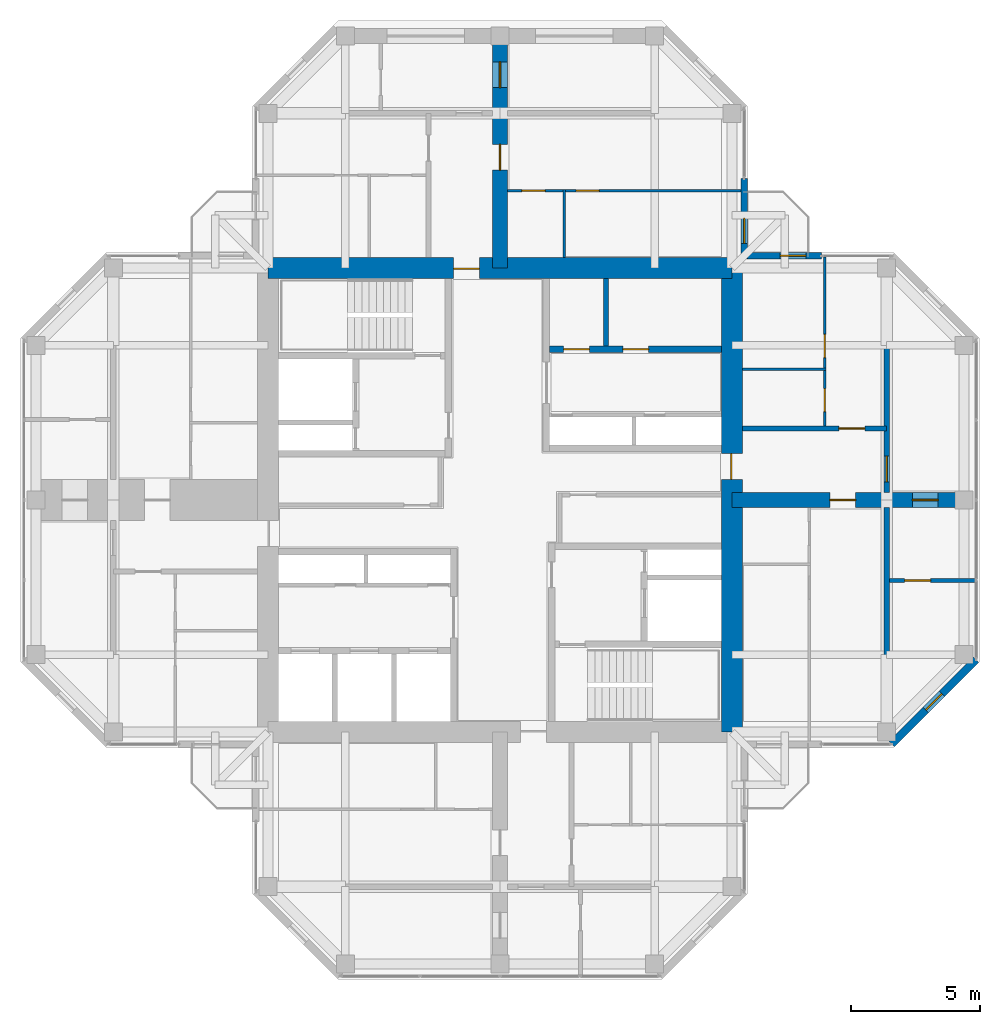
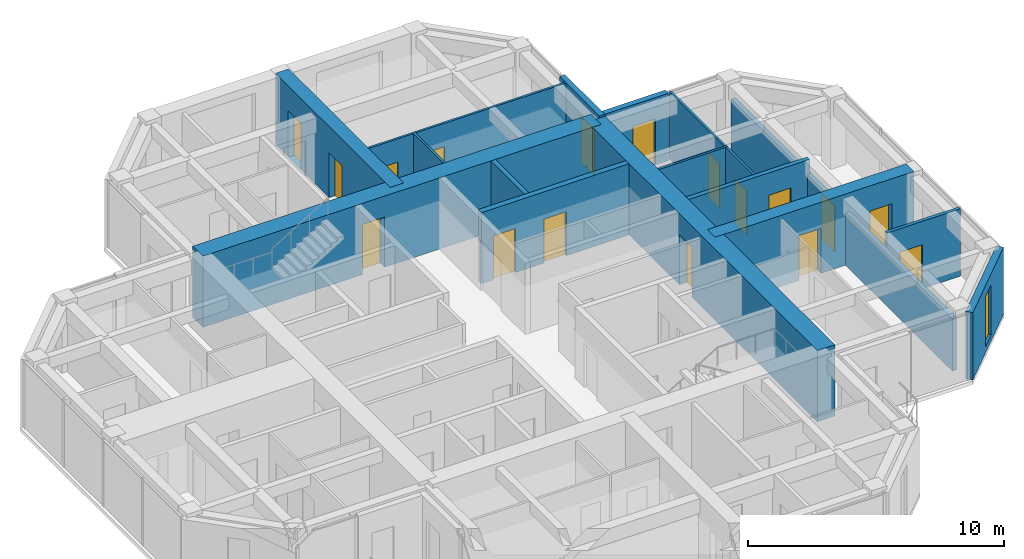
# One storey, part 11 of 13: 17 doors, 17 walls, 1 window, 18 openings.
"""IFC4 building model written with IfcOpenShell, lengths in metres."""

import ifcopenshell
import ifcopenshell.guid

model = None  # the IFC model being written
_history = None  # IfcOwnerHistory: only IFC2X3 demands one
_inside = {}  # id of a spatial element -> (the spatial element, [elements in it])
_under = {}  # id of a project, library or spatial element -> (it, [spatial elements below it])
_declared = {}  # id of a project -> (the project, [libraries it declares])
_typed = {}  # id of a type object -> (the type object, [elements of that type])
_made_of = {}  # id of a material, layer set ... -> (it, [elements and type objects made of it])


def new_model(schema):
    """Start an empty IFC model of exactly this schema.

    Asked for "IFC4X3", IfcOpenShell would pick the latest addendum, in which some entities
    have other attributes; the version numbers below select the first issue.
    IFC2X3 requires an IfcOwnerHistory on every rooted entity: one is made here for all.
    """
    global model, _history
    if schema == "IFC4X3":
        model = ifcopenshell.file(schema_version=(4, 3, 0, 0))
    else:
        model = ifcopenshell.file(schema=schema)
    _inside.clear()
    _under.clear()
    _declared.clear()
    _typed.clear()
    _made_of.clear()
    _history = None
    if model.schema == "IFC2X3":
        org = make("IfcOrganization", Name="unknown")
        user = make(
            "IfcPersonAndOrganization",
            ThePerson=make("IfcPerson", FamilyName="unknown"),
            TheOrganization=org,
        )
        app = make(
            "IfcApplication",
            ApplicationDeveloper=org,
            Version="unknown",
            ApplicationFullName="unknown",
            ApplicationIdentifier="unknown",
        )
        _history = make(
            "IfcOwnerHistory",
            OwningUser=user,
            OwningApplication=app,
            ChangeAction="ADDED",
            CreationDate=0,
        )
    return model


def make(cls, **values):
    """One entity of the class cls with the attributes given. An attribute that is None is left unset."""
    return model.create_entity(
        cls, **{name: value for name, value in values.items() if value is not None}
    )


def rooted(cls, **values):
    """An entity with a GlobalId (a new one), such as an element, a storey or a relation."""
    return make(cls, GlobalId=ifcopenshell.guid.new(), OwnerHistory=_history, **values)


def si_unit(unit_type, name, prefix=None):
    """IfcSIUnit, for example si_unit("LENGTHUNIT", "METRE", prefix="MILLI")."""
    return make("IfcSIUnit", UnitType=unit_type, Prefix=prefix, Name=name)


def assignment(units):
    """IfcUnitAssignment: the units of a project."""
    return None if units is None else make("IfcUnitAssignment", Units=units)


def point(xyz):
    """IfcCartesianPoint."""
    return None if xyz is None else make("IfcCartesianPoint", Coordinates=xyz)


def direction(xyz):
    """IfcDirection."""
    return None if xyz is None else make("IfcDirection", DirectionRatios=xyz)


def frame(location, z_axis=None, x_axis=None):
    """IfcAxis2Placement3D, a coordinate frame: its origin and axes. An axis left out is left unset."""
    return make(
        "IfcAxis2Placement3D",
        Location=point(location),
        Axis=direction(z_axis),
        RefDirection=direction(x_axis),
    )


def frame_2d(location, x_axis=None):
    """IfcAxis2Placement2D, a coordinate frame in the plane: its origin and x axis."""
    return make(
        "IfcAxis2Placement2D", Location=point(location), RefDirection=direction(x_axis)
    )


def origin():
    """The frame at (0, 0, 0) with its axes left unset."""
    return frame((0.0, 0.0, 0.0))


def place(relative_to, where):
    """IfcLocalPlacement: puts the frame where relative to a parent placement (None: the world)."""
    return make(
        "IfcLocalPlacement", PlacementRelTo=relative_to, RelativePlacement=where
    )


def context(
    kind, dimensions, precision=None, world=None, true_north=None, identifier=None
):
    """IfcGeometricRepresentationContext, for example the 3D "Model" context."""
    return make(
        "IfcGeometricRepresentationContext",
        ContextIdentifier=identifier,
        ContextType=kind,
        CoordinateSpaceDimension=dimensions,
        Precision=precision,
        WorldCoordinateSystem=world,
        TrueNorth=true_north,
    )


def subcontext(parent, identifier, kind, view, scale=None):
    """IfcGeometricRepresentationSubContext, for example "Body" below "Model"."""
    return make(
        "IfcGeometricRepresentationSubContext",
        ContextIdentifier=identifier,
        ContextType=kind,
        ParentContext=parent,
        TargetScale=scale,
        TargetView=view,
    )


def project(units=None, contexts=None):
    """IfcProject with its units and contexts."""
    return rooted(
        "IfcProject",
        Name="project",
        RepresentationContexts=contexts,
        UnitsInContext=assignment(units),
    )


def spatial(cls, under=None, at=None, **own):
    """A site, building, storey or space (cls), placed at a placement, below another one or the project."""
    s = rooted(cls, ObjectPlacement=at, **own)
    if under is not None:
        _under.setdefault(under.id(), (under, []))[1].append(s)
    return s


def profile(cls, at=None, kind="AREA", **sizes):
    """A parametric profile (cls). Its sizes go by their IFC names, for example OverallWidth=200.0."""
    return make(cls, ProfileType=kind, Position=at, **sizes)


def rectangle(**sizes):
    """IfcRectangleProfileDef."""
    return profile("IfcRectangleProfileDef", **sizes)


def hollow_rectangle(**sizes):
    """IfcRectangleHollowProfileDef."""
    return profile("IfcRectangleHollowProfileDef", **sizes)


def extrude(swept, where, along, depth):
    """IfcExtrudedAreaSolid: the profile swept, set in the frame where, extruded along a direction by depth."""
    return make(
        "IfcExtrudedAreaSolid",
        SweptArea=swept,
        Position=where,
        ExtrudedDirection=direction(along),
        Depth=depth,
    )


def shape(context_of_items, identifier, shape_type, items):
    """IfcShapeRepresentation: the items that make up one representation, for example the "Body"."""
    return make(
        "IfcShapeRepresentation",
        ContextOfItems=context_of_items,
        RepresentationIdentifier=identifier,
        RepresentationType=shape_type,
        Items=items,
    )


def material(Name=None, Category=None):
    """IfcMaterial."""
    return make("IfcMaterial", Name=Name, Category=Category)


def layer(
    of_material, thickness, ventilated=None, Name=None, Category=None, Priority=None
):
    """IfcMaterialLayer: one layer of a wall or slab, of a material (None: an air gap)."""
    return make(
        "IfcMaterialLayer",
        Material=of_material,
        LayerThickness=thickness,
        IsVentilated=ventilated,
        Name=Name,
        Category=Category,
        Priority=Priority,
    )


def layer_set(layers, Name=None):
    """IfcMaterialLayerSet."""
    return make("IfcMaterialLayerSet", MaterialLayers=layers, LayerSetName=Name)


def constituent(of_material, Name=None, Category=None, fraction=None):
    """IfcMaterialConstituent: one of the materials an element consists of."""
    return make(
        "IfcMaterialConstituent",
        Name=Name,
        Material=of_material,
        Fraction=fraction,
        Category=Category,
    )


def constituent_set(constituents=None, Name=None):
    """IfcMaterialConstituentSet."""
    return make(
        "IfcMaterialConstituentSet", Name=Name, MaterialConstituents=constituents
    )


def made_of(thing, what):
    """Note that an element or type object is made of a material, layer set ...; save() writes the relation."""
    if what is not None:
        _made_of.setdefault(what.id(), (what, []))[1].append(thing)
    return thing


def type_object(cls, material=None, **own):
    """A type object (cls), such as IfcWallType, which elements share."""
    return made_of(rooted(cls, **own), material)


def element(
    cls,
    number,
    at=None,
    inside=None,
    cuts=None,
    type_object=None,
    material=None,
    context=None,
    identifier="Body",
    shape_type=None,
    held_by="IfcProductDefinitionShape",
    body=None,
    shapes=None,
    **own,
):
    """One element of the class cls, such as IfcWall. Its Tag is "e" and its number.

    at: its placement. inside: the storey or other place that contains it. cuts: it is an
    opening in that element (IfcRelVoidsElement). A single representation is given by context,
    identifier, shape_type and body (its items); several are given by shapes. held_by: the class
    of the entity that holds the representations. save() writes the other relations.
    """
    e = rooted(cls, Tag="e%d" % number, ObjectPlacement=at, **own)
    if body is not None:
        shapes = [shape(context, identifier, shape_type, body)]
    if shapes is not None:
        e.Representation = make(held_by, Representations=shapes)
    if inside is not None:
        _inside.setdefault(inside.id(), (inside, []))[1].append(e)
    if cuts is not None:
        rooted(
            "IfcRelVoidsElement", RelatingBuildingElement=cuts, RelatedOpeningElement=e
        )
    if type_object is not None:
        _typed.setdefault(type_object.id(), (type_object, []))[1].append(e)
    return made_of(e, material)


def fill(opening, filler):
    """IfcRelFillsElement: the door or window that sits in an opening."""
    return rooted(
        "IfcRelFillsElement",
        RelatingOpeningElement=opening,
        RelatedBuildingElement=filler,
    )


def aggregate(whole, parts):
    """IfcRelAggregates: a whole, such as a stair, and the parts it consists of."""
    return rooted("IfcRelAggregates", RelatingObject=whole, RelatedObjects=parts)


def save(model, path):
    """Write the relations noted so far, then the file.

    IfcRelAggregates (storeys below a building ...), IfcRelContainedInSpatialStructure (elements
    in a storey), IfcRelDefinesByType, IfcRelAssociatesMaterial and IfcRelDeclares: one each for
    every whole, place, type object, material and project.
    """
    for whole, parts in _under.values():
        aggregate(whole, parts)
    for where, things in _inside.values():
        rooted(
            "IfcRelContainedInSpatialStructure",
            RelatedElements=things,
            RelatingStructure=where,
        )
    for kind, things in _typed.values():
        rooted("IfcRelDefinesByType", RelatedObjects=things, RelatingType=kind)
    for what, things in _made_of.values():
        rooted("IfcRelAssociatesMaterial", RelatedObjects=things, RelatingMaterial=what)
    for by, libraries in _declared.values():
        rooted("IfcRelDeclares", RelatingContext=by, RelatedDefinitions=libraries)
    model.write(path)


model = new_model("IFC4")

# Units and contexts
model_context = context("Model", 3, precision=1e-05, world=origin(), true_north=direction((0.0, 1.0)))
body_context = subcontext(model_context, "Body", "Model", "MODEL_VIEW")
ifc_project = project(units=[si_unit("LENGTHUNIT", "METRE"), si_unit("AREAUNIT", "SQUARE_METRE"), si_unit("VOLUMEUNIT", "CUBIC_METRE"), si_unit("PLANEANGLEUNIT", "RADIAN"), si_unit("MASSUNIT", "GRAM", prefix="KILO")], contexts=[model_context])

# Site, building, storey
site_placement = place(None, origin())
site = spatial("IfcSite", under=ifc_project, at=site_placement, CompositionType="ELEMENT")
building_placement = place(site_placement, origin())
building = spatial("IfcBuilding", under=site, at=building_placement, Name="Torre Cruceta", CompositionType="ELEMENT")
storey_placement = place(building_placement, frame((0.0, 0.0, 264.5)))
storey = spatial("IfcBuildingStorey", under=building, at=storey_placement, Name="L68", CompositionType="ELEMENT", Elevation=264.5)

# Wall
ifc_material_1 = material(Name="Water-resistant plasterboard on steel studs", Category="steel")
ifc_layer_1 = layer(ifc_material_1, 0.10009765625)
ifc_layer_set_1 = layer_set([ifc_layer_1], Name="Water-resistant plasterboard on steel studs")
wall_type_1 = type_object("IfcWallType", Name="BATHROOM WALL 100", PredefinedType="PARTITIONING", material=ifc_layer_set_1)
wall_1_placement = place(storey_placement, frame((2.5, 9.39990234375, 0.0), z_axis=(0.0, 0.0, 1.0), x_axis=(0.0, 1.0, 0.0)))
element("IfcWall", 1, at=wall_1_placement, inside=storey, type_object=wall_type_1, Name="PT4 L68-N-U1RBB", PredefinedType="PARTITIONING", context=body_context, shape_type="SweptSolid", body=[
    extrude(rectangle(XDim=2.650146484375, YDim=0.10009765625, at=frame_2d((1.3251953125, 0.0))), origin(), (0.0, 0.0, 1.0), 3.219970703125),
])

# Wall, openings, doors
wall_2_placement = place(storey_placement, frame((9.344970703125, 12.0, 0.0), z_axis=(0.0, 0.0, 1.0), x_axis=(-1.0, 0.0, 0.0)))
wall_2 = element("IfcWall", 2, at=wall_2_placement, inside=storey, type_object=wall_type_1, Name="PT4 L68-N-U1RBS", PredefinedType="PARTITIONING", context=body_context, shape_type="SweptSolid", body=[
    extrude(rectangle(XDim=9.044921875, YDim=0.10009765625, at=frame_2d((4.5224609375, 0.0))), origin(), (0.0, 0.0, 1.0), 3.219970703125),
])
opening_1_placement = place(wall_2_placement, frame((5.4951171875, 0.0, 0.0)))
opening_1 = element("IfcOpeningElement", 3, at=opening_1_placement, cuts=wall_2, Name="Opening D7", PredefinedType="OPENING", context=body_context, shape_type="SweptSolid", body=[
    extrude(rectangle(XDim=0.89990234375, YDim=2.10009765625, at=frame_2d((0.449951171875, 1.050048828125))), frame((0.0, 0.06005859375, 0.0), z_axis=(0.0, -1.0, 0.0), x_axis=(1.0, 0.0, 0.0)), (0.0, 0.0, 1.0), 0.1201171875),
])
opening_2_placement = place(wall_2_placement, frame((7.594970703125, 0.0, 0.0)))
opening_2 = element("IfcOpeningElement", 4, at=opening_2_placement, cuts=wall_2, Name="Opening D7", PredefinedType="OPENING", context=body_context, shape_type="SweptSolid", body=[
    extrude(rectangle(XDim=0.89990234375, YDim=2.10009765625, at=frame_2d((0.449951171875, 1.050048828125))), frame((0.0, 0.06005859375, 0.0), z_axis=(0.0, -1.0, 0.0), x_axis=(1.0, 0.0, 0.0)), (0.0, 0.0, 1.0), 0.1201171875),
])
ifc_material_2 = material(Name="Timber door", Category="wood")
door_type_1 = type_object("IfcDoorType", Name="BATHROOM DOOR 900X2100", OperationType="SINGLE_SWING_LEFT", PredefinedType="DOOR", material=ifc_material_2)
door_1_placement = place(opening_1_placement, origin())
door_1 = element("IfcDoor", 5, at=door_1_placement, inside=storey, type_object=door_type_1, Name="D7 L68-N-U1RBS-D1", OperationType="SINGLE_SWING_RIGHT", OverallHeight=2.10009765625, OverallWidth=0.89990234375, PredefinedType="DOOR", context=body_context, shape_type="SweptSolid", body=[
    extrude(rectangle(XDim=0.89990234375, YDim=2.10009765625, at=frame_2d((0.449951171875, 1.050048828125))), frame((0.0, 0.02490234375, 0.0), z_axis=(0.0, -1.0, 0.0), x_axis=(1.0, 0.0, 0.0)), (0.0, 0.0, 1.0), 0.050048828125),
])
fill(opening_1, door_1)
door_2_placement = place(opening_2_placement, origin())
door_2 = element("IfcDoor", 6, at=door_2_placement, inside=storey, type_object=door_type_1, Name="D7 L68-N-U1RBS-D2", OperationType="SINGLE_SWING_RIGHT", OverallHeight=2.10009765625, OverallWidth=0.89990234375, PredefinedType="DOOR", context=body_context, shape_type="SweptSolid", body=[
    extrude(rectangle(XDim=0.89990234375, YDim=2.10009765625, at=frame_2d((0.449951171875, 1.050048828125))), frame((0.0, 0.02490234375, 0.0), z_axis=(0.0, -1.0, 0.0), x_axis=(1.0, 0.0, 0.0)), (0.0, 0.0, 1.0), 0.050048828125),
])
fill(opening_2, door_2)

# Wall
wall_3_placement = place(storey_placement, frame((9.39990234375, 5.074951171875, 0.0), z_axis=(0.0, 0.0, 1.0), x_axis=(1.0, 0.0, 0.0)))
element("IfcWall", 7, at=wall_3_placement, inside=storey, type_object=wall_type_1, Name="PT4 L68-E-U1LBB", PredefinedType="PARTITIONING", context=body_context, shape_type="SweptSolid", body=[
    extrude(rectangle(XDim=3.25, YDim=0.10009765625, at=frame_2d((1.625, 0.0))), origin(), (0.0, 0.0, 1.0), 3.219970703125),
])

# Wall, openings, doors
wall_4_placement = place(storey_placement, frame((12.60009765625, 2.875, 0.0), z_axis=(0.0, 0.0, 1.0), x_axis=(0.0, 1.0, 0.0)))
wall_4 = element("IfcWall", 8, at=wall_4_placement, inside=storey, type_object=wall_type_1, Name="PT4 L68-E-U1LBS", PredefinedType="PARTITIONING", context=body_context, shape_type="SweptSolid", body=[
    extrude(rectangle(XDim=6.554931640625, YDim=0.10009765625, at=frame_2d((3.27734375, 0.0))), origin(), (0.0, 0.0, 1.0), 3.219970703125),
])
opening_3_placement = place(wall_4_placement, frame((0.550048828125, 0.0, 0.0)))
opening_3 = element("IfcOpeningElement", 9, at=opening_3_placement, cuts=wall_4, Name="Opening D7", PredefinedType="OPENING", context=body_context, shape_type="SweptSolid", body=[
    extrude(rectangle(XDim=0.89990234375, YDim=2.10009765625, at=frame_2d((0.449951171875, 1.050048828125))), frame((0.0, 0.06005859375, 0.0), z_axis=(0.0, -1.0, 0.0), x_axis=(1.0, 0.0, 0.0)), (0.0, 0.0, 1.0), 0.1201171875),
])
opening_4_placement = place(wall_4_placement, frame((2.64990234375, 0.0, 0.0)))
opening_4 = element("IfcOpeningElement", 10, at=opening_4_placement, cuts=wall_4, Name="Opening D7", PredefinedType="OPENING", context=body_context, shape_type="SweptSolid", body=[
    extrude(rectangle(XDim=0.89990234375, YDim=2.10009765625, at=frame_2d((0.449951171875, 1.050048828125))), frame((0.0, 0.06005859375, 0.0), z_axis=(0.0, -1.0, 0.0), x_axis=(1.0, 0.0, 0.0)), (0.0, 0.0, 1.0), 0.1201171875),
])
door_3_placement = place(opening_3_placement, origin())
door_3 = element("IfcDoor", 11, at=door_3_placement, inside=storey, type_object=door_type_1, Name="D7 L68-E-U1LBS-D1", OperationType="SINGLE_SWING_LEFT", OverallHeight=2.10009765625, OverallWidth=0.89990234375, PredefinedType="DOOR", context=body_context, shape_type="SweptSolid", body=[
    extrude(rectangle(XDim=0.89990234375, YDim=2.10009765625, at=frame_2d((0.449951171875, 1.050048828125))), frame((0.0, 0.02490234375, 0.0), z_axis=(0.0, -1.0, 0.0), x_axis=(1.0, 0.0, 0.0)), (0.0, 0.0, 1.0), 0.050048828125),
])
fill(opening_3, door_3)
door_4_placement = place(opening_4_placement, origin())
door_4 = element("IfcDoor", 12, at=door_4_placement, inside=storey, type_object=door_type_1, Name="D7 L68-E-U1LBS-D2", OperationType="SINGLE_SWING_LEFT", OverallHeight=2.10009765625, OverallWidth=0.89990234375, PredefinedType="DOOR", context=body_context, shape_type="SweptSolid", body=[
    extrude(rectangle(XDim=0.89990234375, YDim=2.10009765625, at=frame_2d((0.449951171875, 1.050048828125))), frame((0.0, 0.02490234375, 0.0), z_axis=(0.0, -1.0, 0.0), x_axis=(1.0, 0.0, 0.0)), (0.0, 0.0, 1.0), 0.050048828125),
])
fill(opening_4, door_4)

ifc_material_3 = material(Name="Concrete G60 (fck 60 MPa)", Category="concrete")
ifc_layer_2 = layer(ifc_material_3, 0.25)
ifc_layer_set_2 = layer_set([ifc_layer_2], Name="Concrete G60 (fck 60 MPa)")
wall_type_2 = type_object("IfcWallType", Name="CORE INNER WALL 250 G60", PredefinedType="SHEAR", material=ifc_layer_set_2)
wall_5_placement = place(storey_placement, frame((1.925048828125, 5.85009765625, 0.0), z_axis=(0.0, 0.0, 1.0), x_axis=(1.0, 0.0, 0.0)))
wall_5 = element("IfcWall", 13, at=wall_5_placement, inside=storey, type_object=wall_type_2, Name="CW4 L68 NE-LV", PredefinedType="SHEAR", context=body_context, shape_type="SweptSolid", body=[
    extrude(rectangle(XDim=6.675048828125, YDim=0.25, at=frame_2d((3.33740234375, 0.0))), origin(), (0.0, 0.0, 1.0), 3.39990234375),
])
opening_5_placement = place(wall_5_placement, frame((0.5458984375, 0.0, 0.0)))
opening_5 = element("IfcOpeningElement", 14, at=opening_5_placement, cuts=wall_5, Name="Opening D3", PredefinedType="OPENING", context=body_context, shape_type="SweptSolid", body=[
    extrude(rectangle(XDim=1.0, YDim=2.10009765625, at=frame_2d((0.5, 1.050048828125))), frame((0.0, 0.135009765625, 0.0), z_axis=(0.0, -1.0, 0.0), x_axis=(1.0, 0.0, 0.0)), (0.0, 0.0, 1.0), 0.27001953125),
])
opening_6_placement = place(wall_5_placement, frame((2.83740234375, 0.0, 0.0)))
opening_6 = element("IfcOpeningElement", 15, at=opening_6_placement, cuts=wall_5, Name="Opening D3", PredefinedType="OPENING", context=body_context, shape_type="SweptSolid", body=[
    extrude(rectangle(XDim=1.0, YDim=2.10009765625, at=frame_2d((0.5, 1.050048828125))), frame((0.0, 0.135009765625, 0.0), z_axis=(0.0, -1.0, 0.0), x_axis=(1.0, 0.0, 0.0)), (0.0, 0.0, 1.0), 0.27001953125),
])
ifc_material_4 = material(Name="Steel DX51D", Category="steel")
ifc_constituent_1 = constituent(ifc_material_4, Name="Leaf and frame")
ifc_material_5 = material(Name="Polyester powder coating", Category="paint")
ifc_constituent_2 = constituent(ifc_material_5, Name="Finish")
ifc_constituent_set_1 = constituent_set(constituents=[ifc_constituent_1, ifc_constituent_2], Name="Steel fire door")
door_type_2 = type_object("IfcDoorType", Name="FIRE DOOR 1000X2100", OperationType="SINGLE_SWING_LEFT", PredefinedType="DOOR", material=ifc_constituent_set_1)
door_5_placement = place(opening_5_placement, origin())
door_5 = element("IfcDoor", 16, at=door_5_placement, inside=storey, type_object=door_type_2, Name="D3 L68 NE-HR1", OperationType="SINGLE_SWING_LEFT", OverallHeight=2.10009765625, OverallWidth=1.0, PredefinedType="DOOR", context=body_context, shape_type="SweptSolid", body=[
    extrude(rectangle(XDim=1.0, YDim=2.10009765625, at=frame_2d((0.5, 1.050048828125))), frame((0.0, 0.02490234375, 0.0), z_axis=(0.0, -1.0, 0.0), x_axis=(1.0, 0.0, 0.0)), (0.0, 0.0, 1.0), 0.050048828125),
])
fill(opening_5, door_5)
door_6_placement = place(opening_6_placement, origin())
door_6 = element("IfcDoor", 17, at=door_6_placement, inside=storey, type_object=door_type_2, Name="D3 L68 NE-HR2", OperationType="SINGLE_SWING_LEFT", OverallHeight=2.10009765625, OverallWidth=1.0, PredefinedType="DOOR", context=body_context, shape_type="SweptSolid", body=[
    extrude(rectangle(XDim=1.0, YDim=2.10009765625, at=frame_2d((0.5, 1.050048828125))), frame((0.0, 0.02490234375, 0.0), z_axis=(0.0, -1.0, 0.0), x_axis=(1.0, 0.0, 0.0)), (0.0, 0.0, 1.0), 0.050048828125),
])
fill(opening_6, door_6)

# Wall, opening, door
ifc_material_6 = material(Name="Concrete G60 (fck 60 MPa)", Category="concrete")
ifc_layer_3 = layer(ifc_material_6, 0.800048828125)
ifc_layer_set_3 = layer_set([ifc_layer_3], Name="Concrete G60 (fck 60 MPa)")
wall_type_3 = type_object("IfcWallType", Name="CORE WALL 800 G60", PredefinedType="SHEAR", material=ifc_layer_set_3)
wall_6_placement = place(storey_placement, frame((9.0, 9.0, 0.0), z_axis=(0.0, 0.0, 1.0), x_axis=(-1.0, 0.0, 0.0)))
wall_6 = element("IfcWall", 18, at=wall_6_placement, inside=storey, type_object=wall_type_3, Name="CW3 L68 CW-N", PredefinedType="SHEAR", context=body_context, shape_type="SweptSolid", body=[
    extrude(rectangle(XDim=18.0, YDim=0.800048828125, at=frame_2d((9.0, 0.0))), origin(), (0.0, 0.0, 1.0), 3.39990234375),
])
opening_7_placement = place(wall_6_placement, frame((9.800048828125, 0.0, 0.0)))
opening_7 = element("IfcOpeningElement", 19, at=opening_7_placement, cuts=wall_6, Name="Opening D4", PredefinedType="OPENING", context=body_context, shape_type="SweptSolid", body=[
    extrude(rectangle(XDim=1.0, YDim=2.39990234375, at=frame_2d((0.5, 1.199951171875))), frame((0.0, 0.409912109375, 0.0), z_axis=(0.0, -1.0, 0.0), x_axis=(1.0, 0.0, 0.0)), (0.0, 0.0, 1.0), 0.820068359375),
])
ifc_material_7 = material(Name="Steel DX51D", Category="steel")
ifc_constituent_3 = constituent(ifc_material_7, Name="Leaf and frame")
ifc_material_8 = material(Name="Polyester powder coating", Category="paint")
ifc_constituent_4 = constituent(ifc_material_8, Name="Finish")
ifc_constituent_set_2 = constituent_set(constituents=[ifc_constituent_3, ifc_constituent_4], Name="Steel fire door")
door_type_3 = type_object("IfcDoorType", Name="CORE ARM DOOR 1000X2400", OperationType="SINGLE_SWING_RIGHT", PredefinedType="DOOR", material=ifc_constituent_set_2)
door_7_placement = place(opening_7_placement, origin())
door_7 = element("IfcDoor", 20, at=door_7_placement, inside=storey, type_object=door_type_3, Name="D4 L68 CW-N", OperationType="SINGLE_SWING_RIGHT", OverallHeight=2.39990234375, OverallWidth=1.0, PredefinedType="DOOR", context=body_context, shape_type="SweptSolid", body=[
    extrude(rectangle(XDim=1.0, YDim=2.39990234375, at=frame_2d((0.5, 1.199951171875))), frame((0.0, 0.05517578125, 0.0), z_axis=(0.0, -1.0, 0.0), x_axis=(1.0, 0.0, 0.0)), (0.0, 0.0, 1.0), 0.050048828125),
])
fill(opening_7, door_7)

wall_7_placement = place(storey_placement, frame((9.0, -9.0, 0.0), z_axis=(0.0, 0.0, 1.0), x_axis=(0.0, 1.0, 0.0)))
wall_7 = element("IfcWall", 21, at=wall_7_placement, inside=storey, type_object=wall_type_3, Name="CW3 L68 CW-E", PredefinedType="SHEAR", context=body_context, shape_type="SweptSolid", body=[
    extrude(rectangle(XDim=18.0, YDim=0.800048828125, at=frame_2d((9.0, 0.0))), origin(), (0.0, 0.0, 1.0), 3.39990234375),
])
opening_8_placement = place(wall_7_placement, frame((9.800048828125, 0.0, 0.0)))
opening_8 = element("IfcOpeningElement", 22, at=opening_8_placement, cuts=wall_7, Name="Opening D4", PredefinedType="OPENING", context=body_context, shape_type="SweptSolid", body=[
    extrude(rectangle(XDim=1.0, YDim=2.39990234375, at=frame_2d((0.5, 1.199951171875))), frame((0.0, 0.409912109375, 0.0), z_axis=(0.0, -1.0, 0.0), x_axis=(1.0, 0.0, 0.0)), (0.0, 0.0, 1.0), 0.820068359375),
])
door_8_placement = place(opening_8_placement, origin())
door_8 = element("IfcDoor", 23, at=door_8_placement, inside=storey, type_object=door_type_3, Name="D4 L68 CW-E", OperationType="SINGLE_SWING_RIGHT", OverallHeight=2.39990234375, OverallWidth=1.0, PredefinedType="DOOR", context=body_context, shape_type="SweptSolid", body=[
    extrude(rectangle(XDim=1.0, YDim=2.39990234375, at=frame_2d((0.5, 1.199951171875))), frame((0.0, 0.05517578125, 0.0), z_axis=(0.0, -1.0, 0.0), x_axis=(1.0, 0.0, 0.0)), (0.0, 0.0, 1.0), 0.050048828125),
])
fill(opening_8, door_8)

ifc_material_9 = material(Name="Concrete G25 (fck 25 MPa)", Category="concrete")
ifc_layer_4 = layer(ifc_material_9, 0.199951171875)
ifc_layer_set_4 = layer_set([ifc_layer_4], Name="Concrete G25 (fck 25 MPa)")
wall_type_4 = type_object("IfcWallType", Name="CORRIDOR WALL 200", PredefinedType="SOLIDWALL", material=ifc_layer_set_4)
wall_8_placement = place(storey_placement, frame((9.39990234375, 2.77490234375, 0.0), z_axis=(0.0, 0.0, 1.0), x_axis=(1.0, 0.0, 0.0)))
wall_8 = element("IfcWall", 24, at=wall_8_placement, inside=storey, type_object=wall_type_4, Name="PT3 L68-E-CL", PredefinedType="SOLIDWALL", context=body_context, shape_type="SweptSolid", body=[
    extrude(rectangle(XDim=5.60009765625, YDim=0.199951171875, at=frame_2d((2.800048828125, 0.0))), origin(), (0.0, 0.0, 1.0), 3.219970703125),
])
opening_9_placement = place(wall_8_placement, frame((3.75, 0.0, 0.0)))
opening_9 = element("IfcOpeningElement", 25, at=opening_9_placement, cuts=wall_8, Name="Opening D6", PredefinedType="OPENING", context=body_context, shape_type="SweptSolid", body=[
    extrude(rectangle(XDim=1.0, YDim=2.14990234375, at=frame_2d((0.5, 1.074951171875))), frame((0.0, 0.10986328125, 0.0), z_axis=(0.0, -1.0, 0.0), x_axis=(1.0, 0.0, 0.0)), (0.0, 0.0, 1.0), 0.219970703125),
])
ifc_material_10 = material(Name="Timber fire door", Category="wood")
door_type_4 = type_object("IfcDoorType", Name="UNIT ENTRANCE DOOR 1000X2150", OperationType="SINGLE_SWING_LEFT", PredefinedType="DOOR", material=ifc_material_10)
door_9_placement = place(opening_9_placement, origin())
door_9 = element("IfcDoor", 26, at=door_9_placement, inside=storey, type_object=door_type_4, Name="D6 L68-E-CL-D1", OperationType="SINGLE_SWING_LEFT", OverallHeight=2.14990234375, OverallWidth=1.0, PredefinedType="DOOR", context=body_context, shape_type="SweptSolid", body=[
    extrude(rectangle(XDim=1.0, YDim=2.14990234375, at=frame_2d((0.5, 1.074951171875))), frame((0.0, 0.02490234375, 0.0), z_axis=(0.0, -1.0, 0.0), x_axis=(1.0, 0.0, 0.0)), (0.0, 0.0, 1.0), 0.050048828125),
])
fill(opening_9, door_9)

# Wall, opening, window
ifc_material_11 = material(Name="Concrete G30 (fck 30 MPa)", Category="concrete")
ifc_layer_5 = layer(ifc_material_11, 0.300048828125)
ifc_layer_set_5 = layer_set([ifc_layer_5], Name="Concrete G30 (fck 30 MPa)")
wall_type_5 = type_object("IfcWallType", Name="EXPOSED CONCRETE FACADE WALL 300", PredefinedType="SOLIDWALL", material=ifc_layer_set_5)
wall_9_placement = place(storey_placement, frame((15.194580078125, -9.469970703125, 0.0), z_axis=(0.0, 0.0, 1.0), x_axis=(0.707106781187, 0.707106781187, 0.0)))
wall_9 = element("IfcWall", 27, at=wall_9_placement, inside=storey, type_object=wall_type_5, Name="EW1 facade wall L68 E chamfer 01", PredefinedType="SOLIDWALL", context=body_context, shape_type="SweptSolid", body=[
    extrude(rectangle(XDim=4.632080078125, YDim=0.300048828125, at=frame_2d((2.31591796875, 0.0))), origin(), (0.0, 0.0, 1.0), 3.219970703125),
])
opening_10_placement = place(wall_9_placement, frame((1.865966796875, 0.0, 0.300048828125)))
opening_10 = element("IfcOpeningElement", 28, at=opening_10_placement, cuts=wall_9, Name="Opening WN5", PredefinedType="OPENING", context=body_context, shape_type="SweptSolid", body=[
    extrude(rectangle(XDim=0.89990234375, YDim=2.39990234375, at=frame_2d((0.449951171875, 1.199951171875))), frame((0.0, 0.159912109375, 0.0), z_axis=(0.0, -1.0, 0.0), x_axis=(1.0, 0.0, 0.0)), (0.0, 0.0, 1.0), 0.320068359375),
])
ifc_material_12 = material(Name="Aluminium window frame", Category="aluminium")
ifc_constituent_5 = constituent(ifc_material_12, Name="Frame")
ifc_material_13 = material(Name="Laminated insulating glass unit, low-iron clear", Category="glass")
ifc_constituent_6 = constituent(ifc_material_13, Name="Glazing")
ifc_constituent_set_3 = constituent_set(constituents=[ifc_constituent_5, ifc_constituent_6], Name="Aluminium window")
window_type = type_object("IfcWindowType", Name="CHAMFER SLOT WINDOW 900X2400", PartitioningType="SINGLE_PANEL", PredefinedType="WINDOW", material=ifc_constituent_set_3)
window_placement = place(opening_10_placement, origin())
window = element("IfcWindow", 29, at=window_placement, inside=storey, type_object=window_type, Name="WN5 L68 E 1", OverallHeight=2.39990234375, OverallWidth=0.89990234375, PartitioningType="SINGLE_PANEL", PredefinedType="WINDOW", context=body_context, shape_type="SweptSolid", body=[
    extrude(hollow_rectangle(XDim=0.89990234375, YDim=2.39990234375, WallThickness=0.06005859375, at=frame_2d((0.449951171875, 1.199951171875))), frame((0.0, 0.030029296875, 0.0), z_axis=(0.0, -1.0, 0.0), x_axis=(1.0, 0.0, 0.0)), (0.0, 0.0, 1.0), 0.06005859375),
    extrude(rectangle(XDim=0.77880859375, YDim=2.27880859375, at=frame_2d((0.449951171875, 1.199951171875))), frame((0.0, 0.030029296875, 0.0), z_axis=(0.0, -1.0, 0.0), x_axis=(1.0, 0.0, 0.0)), (0.0, 0.0, 1.0), 0.06005859375),
])
fill(opening_10, window)

# Wall
ifc_material_14 = material(Name="Concrete G35 (fck 35 MPa)", Category="concrete")
ifc_layer_6 = layer(ifc_material_14, 0.199951171875)
ifc_layer_set_6 = layer_set([ifc_layer_6], Name="Concrete G35 (fck 35 MPa)")
wall_type_6 = type_object("IfcWallType", Name="LIFT SHAFT WALL 200", PredefinedType="PARTITIONING", material=ifc_layer_set_6)
wall_10_placement = place(storey_placement, frame((4.11669921875, 5.97509765625, 0.0), z_axis=(0.0, 0.0, 1.0), x_axis=(0.0, 1.0, 0.0)))
element("IfcWall", 30, at=wall_10_placement, inside=storey, type_object=wall_type_6, Name="SW1 L68 NE-LS1", PredefinedType="PARTITIONING", context=body_context, shape_type="SweptSolid", body=[
    extrude(rectangle(XDim=2.625, YDim=0.199951171875, at=frame_2d((1.3125, 0.0))), origin(), (0.0, 0.0, 1.0), 3.39990234375),
])

# Wall, opening, door
ifc_material_15 = material(Name="Plasterboard on steel studs", Category="steel")
ifc_layer_7 = layer(ifc_material_15, 0.14990234375)
ifc_layer_set_7 = layer_set([ifc_layer_7], Name="Plasterboard on steel studs")
wall_type_7 = type_object("IfcWallType", Name="PARTITION 150", PredefinedType="PARTITIONING", material=ifc_layer_set_7)
wall_11_placement = place(storey_placement, frame((15.10009765625, -3.117919921875, 0.0), z_axis=(0.0, 0.0, 1.0), x_axis=(1.0, 0.0, 0.0)))
wall_11 = element("IfcWall", 31, at=wall_11_placement, inside=storey, type_object=wall_type_7, Name="PT1 L68-E-END2X", PredefinedType="PARTITIONING", context=body_context, shape_type="SweptSolid", body=[
    extrude(rectangle(XDim=3.329833984375, YDim=0.14990234375, at=frame_2d((1.6650390625, 0.0))), origin(), (0.0, 0.0, 1.0), 3.219970703125),
])
opening_11_placement = place(wall_11_placement, frame((0.60009765625, 0.0, 0.0)))
opening_11 = element("IfcOpeningElement", 32, at=opening_11_placement, cuts=wall_11, Name="Opening D3", PredefinedType="OPENING", context=body_context, shape_type="SweptSolid", body=[
    extrude(rectangle(XDim=1.0, YDim=2.10009765625, at=frame_2d((0.5, 1.050048828125))), frame((0.0, 0.0849609375, 0.0), z_axis=(0.0, -1.0, 0.0), x_axis=(1.0, 0.0, 0.0)), (0.0, 0.0, 1.0), 0.169921875),
])
door_10_placement = place(opening_11_placement, origin())
door_10 = element("IfcDoor", 33, at=door_10_placement, inside=storey, type_object=door_type_2, Name="D3 L68-E-END2X-D1", OperationType="SINGLE_SWING_LEFT", OverallHeight=2.10009765625, OverallWidth=1.0, PredefinedType="DOOR", context=body_context, shape_type="SweptSolid", body=[
    extrude(rectangle(XDim=1.0, YDim=2.10009765625, at=frame_2d((0.5, 1.050048828125))), frame((0.0, 0.02490234375, 0.0), z_axis=(0.0, -1.0, 0.0), x_axis=(1.0, 0.0, 0.0)), (0.0, 0.0, 1.0), 0.050048828125),
])
fill(opening_11, door_10)

# Wall, openings, doors
ifc_material_16 = material(Name="Concrete G60 (fck 60 MPa)", Category="concrete")
ifc_layer_8 = layer(ifc_material_16, 0.60009765625)
ifc_layer_set_8 = layer_set([ifc_layer_8], Name="Concrete G60 (fck 60 MPa)")
wall_type_8 = type_object("IfcWallType", Name="SPINE WALL 600 G60", PredefinedType="SHEAR", material=ifc_layer_set_8)
wall_12_placement = place(storey_placement, frame((0.0, 9.0, 0.0), z_axis=(0.0, 0.0, 1.0), x_axis=(0.0, 1.0, 0.0)))
wall_12 = element("IfcWall", 34, at=wall_12_placement, inside=storey, type_object=wall_type_8, Name="SW5 spine wall L68 N", PredefinedType="SHEAR", context=body_context, shape_type="SweptSolid", body=[
    extrude(rectangle(XDim=9.0, YDim=0.60009765625, at=frame_2d((4.5, 0.0))), origin(), (0.0, 0.0, 1.0), 3.39990234375),
])
opening_12_placement = place(wall_12_placement, frame((3.800048828125, 0.0, 0.0)))
opening_12 = element("IfcOpeningElement", 35, at=opening_12_placement, cuts=wall_12, Name="Opening D6", PredefinedType="OPENING", context=body_context, shape_type="SweptSolid", body=[
    extrude(rectangle(XDim=1.0, YDim=2.14990234375, at=frame_2d((0.5, 1.074951171875))), frame((0.0, 0.31005859375, 0.0), z_axis=(0.0, -1.0, 0.0), x_axis=(1.0, 0.0, 0.0)), (0.0, 0.0, 1.0), 0.6201171875),
])
opening_13_placement = place(wall_12_placement, frame((7.0, 0.0, 0.0)))
opening_13 = element("IfcOpeningElement", 36, at=opening_13_placement, cuts=wall_12, Name="Opening D14", PredefinedType="OPENING", context=body_context, shape_type="SweptSolid", body=[
    extrude(rectangle(XDim=1.0, YDim=2.199951171875, at=frame_2d((0.5, 1.10009765625))), frame((0.0, 0.31005859375, 0.0), z_axis=(0.0, -1.0, 0.0), x_axis=(1.0, 0.0, 0.0)), (0.0, 0.0, 1.0), 0.6201171875),
])
ifc_material_17 = material(Name="Steel DX51D", Category="steel")
ifc_constituent_7 = constituent(ifc_material_17, Name="Leaf and frame")
ifc_material_18 = material(Name="Polyester powder coating", Category="paint")
ifc_constituent_8 = constituent(ifc_material_18, Name="Finish")
ifc_material_19 = material(Name="Fire-resisting glass", Category="glass")
ifc_constituent_9 = constituent(ifc_material_19, Name="Vision panel")
ifc_constituent_set_4 = constituent_set(constituents=[ifc_constituent_7, ifc_constituent_8, ifc_constituent_9], Name="Steel fire door with vision panel")
door_type_5 = type_object("IfcDoorType", Name="FIRE DOOR VISION PANEL 1000X2200", OperationType="SINGLE_SWING_RIGHT", PredefinedType="DOOR", material=ifc_constituent_set_4)
door_11_placement = place(opening_13_placement, origin())
door_11 = element("IfcDoor", 37, at=door_11_placement, inside=storey, type_object=door_type_5, Name="D14 L68-N-SP2", OperationType="SINGLE_SWING_RIGHT", OverallHeight=2.199951171875, OverallWidth=1.0, PredefinedType="DOOR", context=body_context, shape_type="SweptSolid", body=[
    extrude(rectangle(XDim=1.0, YDim=2.199951171875, at=frame_2d((0.5, 1.10009765625))), frame((0.0, 0.02490234375, 0.0), z_axis=(0.0, -1.0, 0.0), x_axis=(1.0, 0.0, 0.0)), (0.0, 0.0, 1.0), 0.050048828125),
])
fill(opening_13, door_11)
door_12_placement = place(opening_12_placement, frame((1.0, 0.0, 0.0), z_axis=(0.0, 0.0, 1.0), x_axis=(-1.0, 0.0, 0.0)))
door_12 = element("IfcDoor", 38, at=door_12_placement, inside=storey, type_object=door_type_4, Name="D6 L68-N-SP1", OperationType="SINGLE_SWING_RIGHT", OverallHeight=2.14990234375, OverallWidth=1.0, PredefinedType="DOOR", context=body_context, shape_type="SweptSolid", body=[
    extrude(rectangle(XDim=1.0, YDim=2.14990234375, at=frame_2d((0.5, 1.074951171875))), frame((0.0, 0.025146484375, 0.0), z_axis=(0.0, -1.0, 0.0), x_axis=(1.0, 0.0, 0.0)), (0.0, 0.0, 1.0), 0.050048828125),
])
fill(opening_12, door_12)

wall_13_placement = place(storey_placement, frame((9.0, 0.0, 0.0), z_axis=(0.0, 0.0, 1.0), x_axis=(1.0, 0.0, 0.0)))
wall_13 = element("IfcWall", 39, at=wall_13_placement, inside=storey, type_object=wall_type_8, Name="SW5 spine wall L68 E", PredefinedType="SHEAR", context=body_context, shape_type="SweptSolid", body=[
    extrude(rectangle(XDim=9.0, YDim=0.60009765625, at=frame_2d((4.5, 0.0))), origin(), (0.0, 0.0, 1.0), 3.39990234375),
])
opening_14_placement = place(wall_13_placement, frame((3.800048828125, 0.0, 0.0)))
opening_14 = element("IfcOpeningElement", 40, at=opening_14_placement, cuts=wall_13, Name="Opening D6", PredefinedType="OPENING", context=body_context, shape_type="SweptSolid", body=[
    extrude(rectangle(XDim=1.0, YDim=2.14990234375, at=frame_2d((0.5, 1.074951171875))), frame((0.0, 0.31005859375, 0.0), z_axis=(0.0, -1.0, 0.0), x_axis=(1.0, 0.0, 0.0)), (0.0, 0.0, 1.0), 0.6201171875),
])
opening_15_placement = place(wall_13_placement, frame((7.0, 0.0, 0.0)))
opening_15 = element("IfcOpeningElement", 41, at=opening_15_placement, cuts=wall_13, Name="Opening D14", PredefinedType="OPENING", context=body_context, shape_type="SweptSolid", body=[
    extrude(rectangle(XDim=1.0, YDim=2.199951171875, at=frame_2d((0.5, 1.10009765625))), frame((0.0, 0.31005859375, 0.0), z_axis=(0.0, -1.0, 0.0), x_axis=(1.0, 0.0, 0.0)), (0.0, 0.0, 1.0), 0.6201171875),
])
door_13_placement = place(opening_15_placement, frame((1.0, 0.0, 0.0), z_axis=(0.0, 0.0, 1.0), x_axis=(-1.0, 0.0, 0.0)))
door_13 = element("IfcDoor", 42, at=door_13_placement, inside=storey, type_object=door_type_5, Name="D14 L68-E-SP2", OperationType="SINGLE_SWING_RIGHT", OverallHeight=2.199951171875, OverallWidth=1.0, PredefinedType="DOOR", context=body_context, shape_type="SweptSolid", body=[
    extrude(rectangle(XDim=1.0, YDim=2.199951171875, at=frame_2d((0.5, 1.10009765625))), frame((0.0, 0.025146484375, 0.0), z_axis=(0.0, -1.0, 0.0), x_axis=(1.0, 0.0, 0.0)), (0.0, 0.0, 1.0), 0.050048828125),
])
fill(opening_15, door_13)
door_14_placement = place(opening_14_placement, frame((1.0, 0.0, 0.0), z_axis=(0.0, 0.0, 1.0), x_axis=(-1.0, 0.0, 0.0)))
door_14 = element("IfcDoor", 43, at=door_14_placement, inside=storey, type_object=door_type_4, Name="D6 L68-E-SP1", OperationType="SINGLE_SWING_RIGHT", OverallHeight=2.14990234375, OverallWidth=1.0, PredefinedType="DOOR", context=body_context, shape_type="SweptSolid", body=[
    extrude(rectangle(XDim=1.0, YDim=2.14990234375, at=frame_2d((0.5, 1.074951171875))), frame((0.0, 0.025146484375, 0.0), z_axis=(0.0, -1.0, 0.0), x_axis=(1.0, 0.0, 0.0)), (0.0, 0.0, 1.0), 0.050048828125),
])
fill(opening_14, door_14)

# Wall
ifc_material_20 = material(Name="Concrete G25 (fck 25 MPa)", Category="concrete")
ifc_layer_9 = layer(ifc_material_20, 0.199951171875)
ifc_layer_set_9 = layer_set([ifc_layer_9], Name="Concrete G25 (fck 25 MPa)")
wall_type_9 = type_object("IfcWallType", Name="UNIT SEPARATING WALL 200", PredefinedType="SOLIDWALL", material=ifc_layer_set_9)
wall_14_placement = place(storey_placement, frame((15.0, -8.64990234375, 0.0), z_axis=(0.0, 0.0, 1.0), x_axis=(0.0, 1.0, 0.0)))
element("IfcWall", 44, at=wall_14_placement, inside=storey, type_object=wall_type_9, Name="PT2 L68-E-ENDa", PredefinedType="SOLIDWALL", context=body_context, shape_type="SweptSolid", body=[
    extrude(rectangle(XDim=8.349853515625, YDim=0.199951171875, at=frame_2d((4.1748046875, 0.0))), origin(), (0.0, 0.0, 1.0), 2.52001953125),
])

# Wall, opening, door
wall_15_placement = place(storey_placement, frame((15.0, 0.300048828125, 0.0), z_axis=(0.0, 0.0, 1.0), x_axis=(0.0, 1.0, 0.0)))
wall_15 = element("IfcWall", 45, at=wall_15_placement, inside=storey, type_object=wall_type_9, Name="PT2 L68-E-ENDb", PredefinedType="SOLIDWALL", context=body_context, shape_type="SweptSolid", body=[
    extrude(rectangle(XDim=8.349853515625, YDim=0.199951171875, at=frame_2d((4.1748046875, 0.0))), origin(), (0.0, 0.0, 1.0), 2.52001953125),
])
opening_16_placement = place(wall_15_placement, frame((0.39990234375, 0.0, 0.0)))
opening_16 = element("IfcOpeningElement", 46, at=opening_16_placement, cuts=wall_15, Name="Opening D14", PredefinedType="OPENING", context=body_context, shape_type="SweptSolid", body=[
    extrude(rectangle(XDim=1.0, YDim=2.199951171875, at=frame_2d((0.5, 1.10009765625))), frame((0.0, 0.10986328125, 0.0), z_axis=(0.0, -1.0, 0.0), x_axis=(1.0, 0.0, 0.0)), (0.0, 0.0, 1.0), 0.219970703125),
])
door_15_placement = place(opening_16_placement, frame((1.0, 0.0, 0.0), z_axis=(0.0, 0.0, 1.0), x_axis=(-1.0, 0.0, 0.0)))
door_15 = element("IfcDoor", 47, at=door_15_placement, inside=storey, type_object=door_type_5, Name="D14 L68-E-ENDb-D1", OperationType="SINGLE_SWING_RIGHT", OverallHeight=2.199951171875, OverallWidth=1.0, PredefinedType="DOOR", context=body_context, shape_type="SweptSolid", body=[
    extrude(rectangle(XDim=1.0, YDim=2.199951171875, at=frame_2d((0.5, 1.10009765625))), frame((0.0, 0.025146484375, 0.0), z_axis=(0.0, -1.0, 0.0), x_axis=(1.0, 0.0, 0.0)), (0.0, 0.0, 1.0), 0.050048828125),
])
fill(opening_16, door_15)

ifc_material_21 = material(Name="Concrete G30 (fck 30 MPa)", Category="concrete")
ifc_layer_10 = layer(ifc_material_21, 0.25)
ifc_layer_set_10 = layer_set([ifc_layer_10], Name="Concrete G30 (fck 30 MPa)")
wall_type_10 = type_object("IfcWallType", Name="WINTER GARDEN WALL 250", PredefinedType="SOLIDWALL", material=ifc_layer_set_10)
wall_16_placement = place(storey_placement, frame((12.469970703125, 9.469970703125, 0.0), z_axis=(0.0, 0.0, 1.0), x_axis=(-1.0, 0.0, 0.0)))
wall_16 = element("IfcWall", 48, at=wall_16_placement, inside=storey, type_object=wall_type_10, Name="EW2 winter garden wall L68 04", PredefinedType="SOLIDWALL", context=body_context, shape_type="SweptSolid", body=[
    extrude(rectangle(XDim=2.875, YDim=0.25, at=frame_2d((1.4375, 0.0))), origin(), (0.0, 0.0, 1.0), 3.219970703125),
])
opening_17_placement = place(wall_16_placement, frame((0.60009765625, 0.0, 0.0)))
opening_17 = element("IfcOpeningElement", 49, at=opening_17_placement, cuts=wall_16, Name="Opening D10", PredefinedType="OPENING", context=body_context, shape_type="SweptSolid", body=[
    extrude(rectangle(XDim=1.0, YDim=2.199951171875, at=frame_2d((0.5, 1.10009765625))), frame((0.0, 0.135009765625, 0.0), z_axis=(0.0, -1.0, 0.0), x_axis=(1.0, 0.0, 0.0)), (0.0, 0.0, 1.0), 0.27001953125),
])
ifc_material_22 = material(Name="Aluminium door frame", Category="aluminium")
ifc_constituent_10 = constituent(ifc_material_22, Name="Frame")
ifc_material_23 = material(Name="Laminated safety glass", Category="glass")
ifc_constituent_11 = constituent(ifc_material_23, Name="Glazing")
ifc_constituent_set_5 = constituent_set(constituents=[ifc_constituent_10, ifc_constituent_11], Name="Aluminium glazed door")
door_type_6 = type_object("IfcDoorType", Name="BALCONY DOOR 1000X2200", OperationType="SINGLE_SWING_RIGHT", PredefinedType="DOOR", material=ifc_constituent_set_5)
door_16_placement = place(opening_17_placement, origin())
door_16 = element("IfcDoor", 50, at=door_16_placement, inside=storey, type_object=door_type_6, Name="D10 balcony door L68 04", OperationType="SINGLE_SWING_LEFT", OverallHeight=2.199951171875, OverallWidth=1.0, PredefinedType="DOOR", context=body_context, shape_type="SweptSolid", body=[
    extrude(hollow_rectangle(XDim=1.0, YDim=2.199951171875, WallThickness=0.06005859375, at=frame_2d((0.5, 1.10009765625))), frame((0.0, 0.02490234375, 0.0), z_axis=(0.0, -1.0, 0.0), x_axis=(1.0, 0.0, 0.0)), (0.0, 0.0, 1.0), 0.050048828125),
    extrude(rectangle(XDim=0.87890625, YDim=2.078857421875, at=frame_2d((0.5, 1.10009765625))), frame((0.0, 0.02490234375, 0.0), z_axis=(0.0, -1.0, 0.0), x_axis=(1.0, 0.0, 0.0)), (0.0, 0.0, 1.0), 0.050048828125),
])
fill(opening_17, door_16)

wall_17_placement = place(storey_placement, frame((9.469970703125, 9.344970703125, 0.0), z_axis=(0.0, 0.0, 1.0), x_axis=(0.0, 1.0, 0.0)))
wall_17 = element("IfcWall", 51, at=wall_17_placement, inside=storey, type_object=wall_type_10, Name="EW2 winter garden wall L68 05", PredefinedType="SOLIDWALL", context=body_context, shape_type="SweptSolid", body=[
    extrude(rectangle(XDim=3.125, YDim=0.25, at=frame_2d((1.5625, 0.0))), origin(), (0.0, 0.0, 1.0), 3.219970703125),
])
opening_18_placement = place(wall_17_placement, frame((0.60009765625, 0.0, 0.0)))
opening_18 = element("IfcOpeningElement", 52, at=opening_18_placement, cuts=wall_17, Name="Opening D10", PredefinedType="OPENING", context=body_context, shape_type="SweptSolid", body=[
    extrude(rectangle(XDim=1.0, YDim=2.199951171875, at=frame_2d((0.5, 1.10009765625))), frame((0.0, 0.135009765625, 0.0), z_axis=(0.0, -1.0, 0.0), x_axis=(1.0, 0.0, 0.0)), (0.0, 0.0, 1.0), 0.27001953125),
])
door_17_placement = place(opening_18_placement, origin())
door_17 = element("IfcDoor", 53, at=door_17_placement, inside=storey, type_object=door_type_6, Name="D10 balcony door L68 05", OperationType="SINGLE_SWING_LEFT", OverallHeight=2.199951171875, OverallWidth=1.0, PredefinedType="DOOR", context=body_context, shape_type="SweptSolid", body=[
    extrude(hollow_rectangle(XDim=1.0, YDim=2.199951171875, WallThickness=0.06005859375, at=frame_2d((0.5, 1.10009765625))), frame((0.0, 0.02490234375, 0.0), z_axis=(0.0, -1.0, 0.0), x_axis=(1.0, 0.0, 0.0)), (0.0, 0.0, 1.0), 0.050048828125),
    extrude(rectangle(XDim=0.87890625, YDim=2.078857421875, at=frame_2d((0.5, 1.10009765625))), frame((0.0, 0.02490234375, 0.0), z_axis=(0.0, -1.0, 0.0), x_axis=(1.0, 0.0, 0.0)), (0.0, 0.0, 1.0), 0.050048828125),
])
fill(opening_18, door_17)

save(model, "model.ifc")
